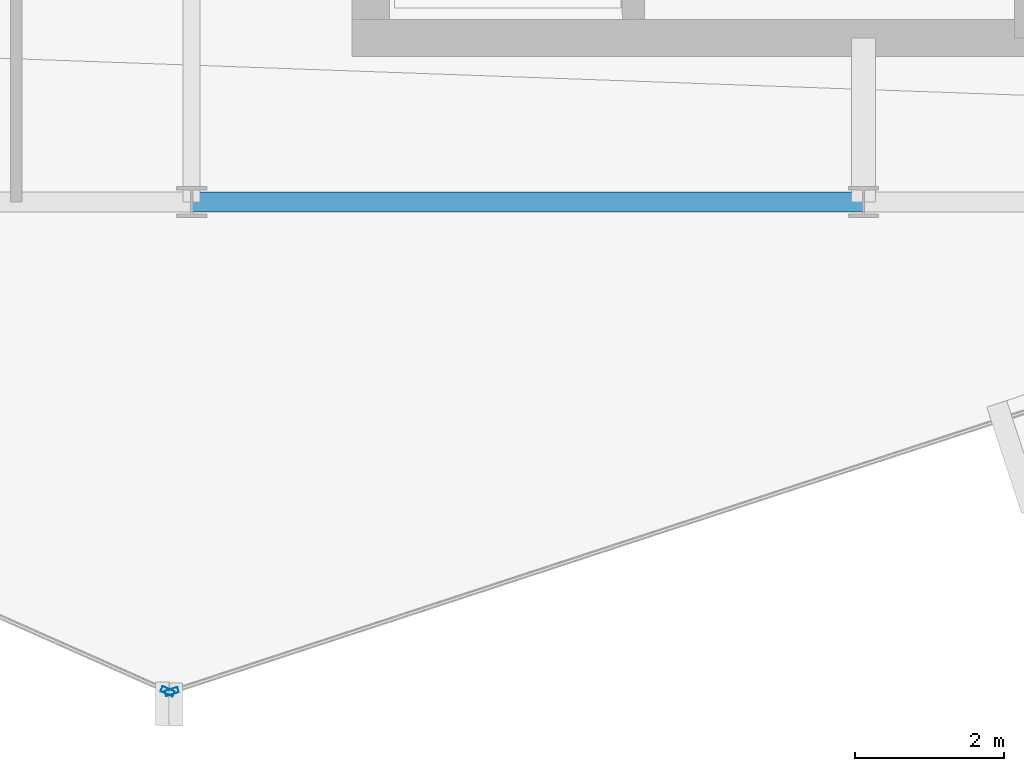
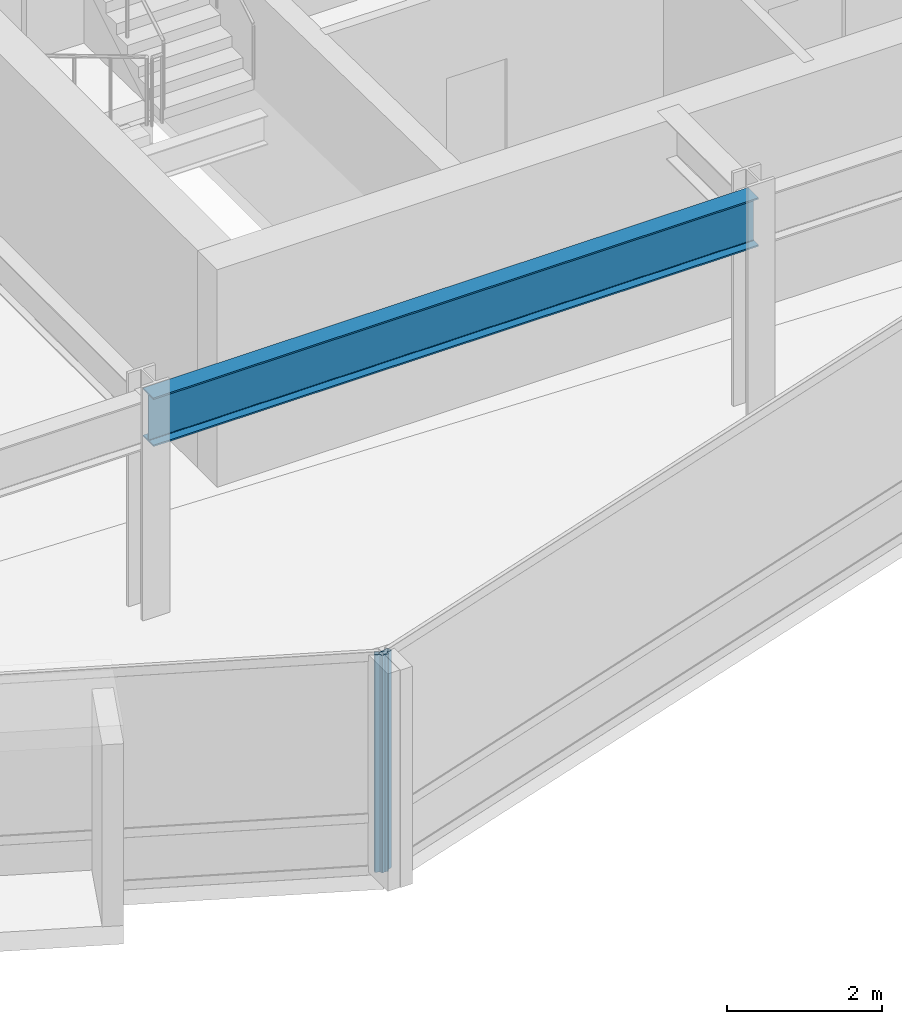
# One storey, part 4 of 27: 2 members, 1 beam, 2 elements without a shape of their own.
"""IFC4 building model written with IfcOpenShell, lengths in metres."""

import ifcopenshell
import ifcopenshell.guid

model = None  # the IFC model being written
_history = None  # IfcOwnerHistory: only IFC2X3 demands one
_inside = {}  # id of a spatial element -> (the spatial element, [elements in it])
_under = {}  # id of a project, library or spatial element -> (it, [spatial elements below it])
_declared = {}  # id of a project -> (the project, [libraries it declares])
_typed = {}  # id of a type object -> (the type object, [elements of that type])
_made_of = {}  # id of a material, layer set ... -> (it, [elements and type objects made of it])


def new_model(schema):
    """Start an empty IFC model of exactly this schema.

    Asked for "IFC4X3", IfcOpenShell would pick the latest addendum, in which some entities
    have other attributes; the version numbers below select the first issue.
    IFC2X3 requires an IfcOwnerHistory on every rooted entity: one is made here for all.
    """
    global model, _history
    if schema == "IFC4X3":
        model = ifcopenshell.file(schema_version=(4, 3, 0, 0))
    else:
        model = ifcopenshell.file(schema=schema)
    _inside.clear()
    _under.clear()
    _declared.clear()
    _typed.clear()
    _made_of.clear()
    _history = None
    if model.schema == "IFC2X3":
        org = make("IfcOrganization", Name="unknown")
        user = make(
            "IfcPersonAndOrganization",
            ThePerson=make("IfcPerson", FamilyName="unknown"),
            TheOrganization=org,
        )
        app = make(
            "IfcApplication",
            ApplicationDeveloper=org,
            Version="unknown",
            ApplicationFullName="unknown",
            ApplicationIdentifier="unknown",
        )
        _history = make(
            "IfcOwnerHistory",
            OwningUser=user,
            OwningApplication=app,
            ChangeAction="ADDED",
            CreationDate=0,
        )
    return model


def make(cls, **values):
    """One entity of the class cls with the attributes given. An attribute that is None is left unset."""
    return model.create_entity(
        cls, **{name: value for name, value in values.items() if value is not None}
    )


def rooted(cls, **values):
    """An entity with a GlobalId (a new one), such as an element, a storey or a relation."""
    return make(cls, GlobalId=ifcopenshell.guid.new(), OwnerHistory=_history, **values)


def si_unit(unit_type, name, prefix=None):
    """IfcSIUnit, for example si_unit("LENGTHUNIT", "METRE", prefix="MILLI")."""
    return make("IfcSIUnit", UnitType=unit_type, Prefix=prefix, Name=name)


def assignment(units):
    """IfcUnitAssignment: the units of a project."""
    return None if units is None else make("IfcUnitAssignment", Units=units)


def point(xyz):
    """IfcCartesianPoint."""
    return None if xyz is None else make("IfcCartesianPoint", Coordinates=xyz)


def direction(xyz):
    """IfcDirection."""
    return None if xyz is None else make("IfcDirection", DirectionRatios=xyz)


def frame(location, z_axis=None, x_axis=None):
    """IfcAxis2Placement3D, a coordinate frame: its origin and axes. An axis left out is left unset."""
    return make(
        "IfcAxis2Placement3D",
        Location=point(location),
        Axis=direction(z_axis),
        RefDirection=direction(x_axis),
    )


def frame_2d(location, x_axis=None):
    """IfcAxis2Placement2D, a coordinate frame in the plane: its origin and x axis."""
    return make(
        "IfcAxis2Placement2D", Location=point(location), RefDirection=direction(x_axis)
    )


def origin():
    """The frame at (0, 0, 0) with its axes left unset."""
    return frame((0.0, 0.0, 0.0))


def origin_2d():
    """The frame at (0, 0) in the plane with its x axis left unset."""
    return frame_2d((0.0, 0.0))


def place(relative_to, where):
    """IfcLocalPlacement: puts the frame where relative to a parent placement (None: the world)."""
    return make(
        "IfcLocalPlacement", PlacementRelTo=relative_to, RelativePlacement=where
    )


def context(
    kind, dimensions, precision=None, world=None, true_north=None, identifier=None
):
    """IfcGeometricRepresentationContext, for example the 3D "Model" context."""
    return make(
        "IfcGeometricRepresentationContext",
        ContextIdentifier=identifier,
        ContextType=kind,
        CoordinateSpaceDimension=dimensions,
        Precision=precision,
        WorldCoordinateSystem=world,
        TrueNorth=true_north,
    )


def subcontext(parent, identifier, kind, view, scale=None):
    """IfcGeometricRepresentationSubContext, for example "Body" below "Model"."""
    return make(
        "IfcGeometricRepresentationSubContext",
        ContextIdentifier=identifier,
        ContextType=kind,
        ParentContext=parent,
        TargetScale=scale,
        TargetView=view,
    )


def project(units=None, contexts=None):
    """IfcProject with its units and contexts."""
    return rooted(
        "IfcProject",
        Name="project",
        RepresentationContexts=contexts,
        UnitsInContext=assignment(units),
    )


def spatial(cls, under=None, at=None, **own):
    """A site, building, storey or space (cls), placed at a placement, below another one or the project."""
    s = rooted(cls, ObjectPlacement=at, **own)
    if under is not None:
        _under.setdefault(under.id(), (under, []))[1].append(s)
    return s


def profile(cls, at=None, kind="AREA", **sizes):
    """A parametric profile (cls). Its sizes go by their IFC names, for example OverallWidth=200.0."""
    return make(cls, ProfileType=kind, Position=at, **sizes)


def hollow_rectangle(**sizes):
    """IfcRectangleHollowProfileDef."""
    return profile("IfcRectangleHollowProfileDef", **sizes)


def i_section(**sizes):
    """IfcIShapeProfileDef."""
    return profile("IfcIShapeProfileDef", **sizes)


def extrude(swept, where, along, depth):
    """IfcExtrudedAreaSolid: the profile swept, set in the frame where, extruded along a direction by depth."""
    return make(
        "IfcExtrudedAreaSolid",
        SweptArea=swept,
        Position=where,
        ExtrudedDirection=direction(along),
        Depth=depth,
    )


def shape(context_of_items, identifier, shape_type, items):
    """IfcShapeRepresentation: the items that make up one representation, for example the "Body"."""
    return make(
        "IfcShapeRepresentation",
        ContextOfItems=context_of_items,
        RepresentationIdentifier=identifier,
        RepresentationType=shape_type,
        Items=items,
    )


def material(Name=None, Category=None):
    """IfcMaterial."""
    return make("IfcMaterial", Name=Name, Category=Category)


def layer(
    of_material, thickness, ventilated=None, Name=None, Category=None, Priority=None
):
    """IfcMaterialLayer: one layer of a wall or slab, of a material (None: an air gap)."""
    return make(
        "IfcMaterialLayer",
        Material=of_material,
        LayerThickness=thickness,
        IsVentilated=ventilated,
        Name=Name,
        Category=Category,
        Priority=Priority,
    )


def layer_set(layers, Name=None):
    """IfcMaterialLayerSet."""
    return make("IfcMaterialLayerSet", MaterialLayers=layers, LayerSetName=Name)


def material_profile(
    of_material, cross_section, Name=None, Category=None, Priority=None
):
    """IfcMaterialProfile: a cross section and its material."""
    return make(
        "IfcMaterialProfile",
        Name=Name,
        Material=of_material,
        Profile=cross_section,
        Priority=Priority,
        Category=Category,
    )


def profile_set(profiles, Name=None, composite=None):
    """IfcMaterialProfileSet."""
    return make(
        "IfcMaterialProfileSet",
        Name=Name,
        MaterialProfiles=profiles,
        CompositeProfile=composite,
    )


def made_of(thing, what):
    """Note that an element or type object is made of a material, layer set ...; save() writes the relation."""
    if what is not None:
        _made_of.setdefault(what.id(), (what, []))[1].append(thing)
    return thing


def type_object(cls, material=None, **own):
    """A type object (cls), such as IfcWallType, which elements share."""
    return made_of(rooted(cls, **own), material)


def element(
    cls,
    number,
    at=None,
    inside=None,
    cuts=None,
    type_object=None,
    material=None,
    context=None,
    identifier="Body",
    shape_type=None,
    held_by="IfcProductDefinitionShape",
    body=None,
    shapes=None,
    **own,
):
    """One element of the class cls, such as IfcWall. Its Tag is "e" and its number.

    at: its placement. inside: the storey or other place that contains it. cuts: it is an
    opening in that element (IfcRelVoidsElement). A single representation is given by context,
    identifier, shape_type and body (its items); several are given by shapes. held_by: the class
    of the entity that holds the representations. save() writes the other relations.
    """
    e = rooted(cls, Tag="e%d" % number, ObjectPlacement=at, **own)
    if body is not None:
        shapes = [shape(context, identifier, shape_type, body)]
    if shapes is not None:
        e.Representation = make(held_by, Representations=shapes)
    if inside is not None:
        _inside.setdefault(inside.id(), (inside, []))[1].append(e)
    if cuts is not None:
        rooted(
            "IfcRelVoidsElement", RelatingBuildingElement=cuts, RelatedOpeningElement=e
        )
    if type_object is not None:
        _typed.setdefault(type_object.id(), (type_object, []))[1].append(e)
    return made_of(e, material)


def aggregate(whole, parts):
    """IfcRelAggregates: a whole, such as a stair, and the parts it consists of."""
    return rooted("IfcRelAggregates", RelatingObject=whole, RelatedObjects=parts)


def save(model, path):
    """Write the relations noted so far, then the file.

    IfcRelAggregates (storeys below a building ...), IfcRelContainedInSpatialStructure (elements
    in a storey), IfcRelDefinesByType, IfcRelAssociatesMaterial and IfcRelDeclares: one each for
    every whole, place, type object, material and project.
    """
    for whole, parts in _under.values():
        aggregate(whole, parts)
    for where, things in _inside.values():
        rooted(
            "IfcRelContainedInSpatialStructure",
            RelatedElements=things,
            RelatingStructure=where,
        )
    for kind, things in _typed.values():
        rooted("IfcRelDefinesByType", RelatedObjects=things, RelatingType=kind)
    for what, things in _made_of.values():
        rooted("IfcRelAssociatesMaterial", RelatedObjects=things, RelatingMaterial=what)
    for by, libraries in _declared.values():
        rooted("IfcRelDeclares", RelatingContext=by, RelatedDefinitions=libraries)
    model.write(path)


model = new_model("IFC4")

# Units and contexts
model_context = context("Model", 3, precision=1e-05, world=origin(), true_north=direction((0.0, 1.0)))
body_context = subcontext(model_context, "Body", "Model", "MODEL_VIEW")
ifc_project = project(units=[si_unit("LENGTHUNIT", "METRE"), si_unit("AREAUNIT", "SQUARE_METRE"), si_unit("VOLUMEUNIT", "CUBIC_METRE"), si_unit("PLANEANGLEUNIT", "RADIAN"), si_unit("MASSUNIT", "GRAM", prefix="KILO")], contexts=[model_context])

# Site, building, storey
site_placement = place(None, origin())
site = spatial("IfcSite", under=ifc_project, at=site_placement, CompositionType="ELEMENT")
building_placement = place(site_placement, origin())
building = spatial("IfcBuilding", under=site, at=building_placement, Name="Solvaryn Broadcast Tower", CompositionType="ELEMENT")
storey_placement = place(building_placement, frame((0.0, 0.0, 185.300048828125)))
storey = spatial("IfcBuildingStorey", under=building, at=storey_placement, Name="L46", CompositionType="ELEMENT", Elevation=185.300048828125)

# Beam
ifc_material_1 = material(Name="Steel ASTM A992 Grade 50", Category="steel")
ifc_material_profile_1 = material_profile(ifc_material_1, i_section(OverallWidth=0.26708984375, OverallDepth=0.76611328125, WebThickness=0.014892578125, FlangeThickness=0.023681640625, FilletRadius=0.01806640625, at=origin_2d()))
ifc_profile_set_1 = profile_set([ifc_material_profile_1], Name="Steel ASTM A992 Grade 50")
beam_type = type_object("IfcBeamType", Name="BM-SP2-W30X124", PredefinedType="USERDEFINED", material=ifc_profile_set_1)
beam_placement = place(storey_placement, frame((27.0, 9.0, 3.036865234375), z_axis=(1.0, 0.0, 0.0), x_axis=(0.0, 1.0, 0.0)))
element("IfcBeam", 1, at=beam_placement, inside=storey, type_object=beam_type, Name="L46 Spandrel Beam X (27-36 @ Y=9)", ObjectType="SPANDREL", PredefinedType="USERDEFINED", context=body_context, shape_type="SweptSolid", body=[
    extrude(i_section(OverallWidth=0.26708984375, OverallDepth=0.76611328125, WebThickness=0.014892578125, FlangeThickness=0.023681640625, FilletRadius=0.01806640625, at=origin_2d()), origin(), (0.0, 0.0, 1.0), 9.0),
])

# Curtain wall, member
ifc_material_2 = material(Name="Aluminium and Terracotta Unitised Curtain Wall", Category="masonry")
ifc_layer = layer(ifc_material_2, 0.199951171875)
ifc_layer_set = layer_set([ifc_layer], Name="CW-SYS2-LOWMID")
curtain_wall_type = type_object("IfcCurtainWallType", Name="CW-SYS2-LOWMID", PredefinedType="NOTDEFINED", material=ifc_layer_set)
curtain_wall_1_placement = place(storey_placement, origin())
curtain_wall_1 = element("IfcCurtainWall", 2, at=curtain_wall_1_placement, inside=storey, type_object=curtain_wall_type, Name="L46 Curtain Wall DR3", PredefinedType="NOTDEFINED")
ifc_material_3 = material(Name="Anodised Aluminium 6063-T6", Category="aluminium")
ifc_material_profile_2 = material_profile(ifc_material_3, hollow_rectangle(XDim=0.074951171875, YDim=0.179931640625, WallThickness=0.00390625, InnerFilletRadius=0.00390625, OuterFilletRadius=0.008056640625, at=origin_2d()))
ifc_profile_set_2 = profile_set([ifc_material_profile_2], Name="Anodised Aluminium 6063-T6")
member_type = type_object("IfcMemberType", Name="CW-MUL-180", PredefinedType="MULLION", material=ifc_profile_set_2)
member_1_placement = place(storey_placement, frame((26.678466796875, 2.445068359375, 0.0), z_axis=(0.0, 0.0, 1.0), x_axis=(0.405901337237, 0.913916902365, 0.0)))
member_1 = element("IfcMember", 3, at=member_1_placement, type_object=member_type, Name="CWS2 mullion 2", PredefinedType="MULLION", context=body_context, shape_type="SweptSolid", body=[
    extrude(hollow_rectangle(XDim=0.074951171875, YDim=0.179931640625, WallThickness=0.00390625, InnerFilletRadius=0.00390625, OuterFilletRadius=0.008056640625, at=origin_2d()), origin(), (0.0, 0.0, 1.0), 3.419921875),
])
aggregate(curtain_wall_1, [member_1])

curtain_wall_2_placement = place(storey_placement, origin())
curtain_wall_2 = element("IfcCurtainWall", 4, at=curtain_wall_2_placement, inside=storey, type_object=curtain_wall_type, Name="L46 Curtain Wall DR4", PredefinedType="NOTDEFINED")
member_2_placement = place(storey_placement, frame((26.734619140625, 2.4423828125, 0.0), z_axis=(0.0, 0.0, 1.0), x_axis=(-0.311558717623, 0.950226902099, 0.0)))
member_2 = element("IfcMember", 5, at=member_2_placement, type_object=member_type, Name="CWS2 mullion 1", PredefinedType="MULLION", context=body_context, shape_type="SweptSolid", body=[
    extrude(hollow_rectangle(XDim=0.074951171875, YDim=0.179931640625, WallThickness=0.00390625, InnerFilletRadius=0.00390625, OuterFilletRadius=0.008056640625, at=origin_2d()), origin(), (0.0, 0.0, 1.0), 3.419921875),
])
aggregate(curtain_wall_2, [member_2])

save(model, "model.ifc")
